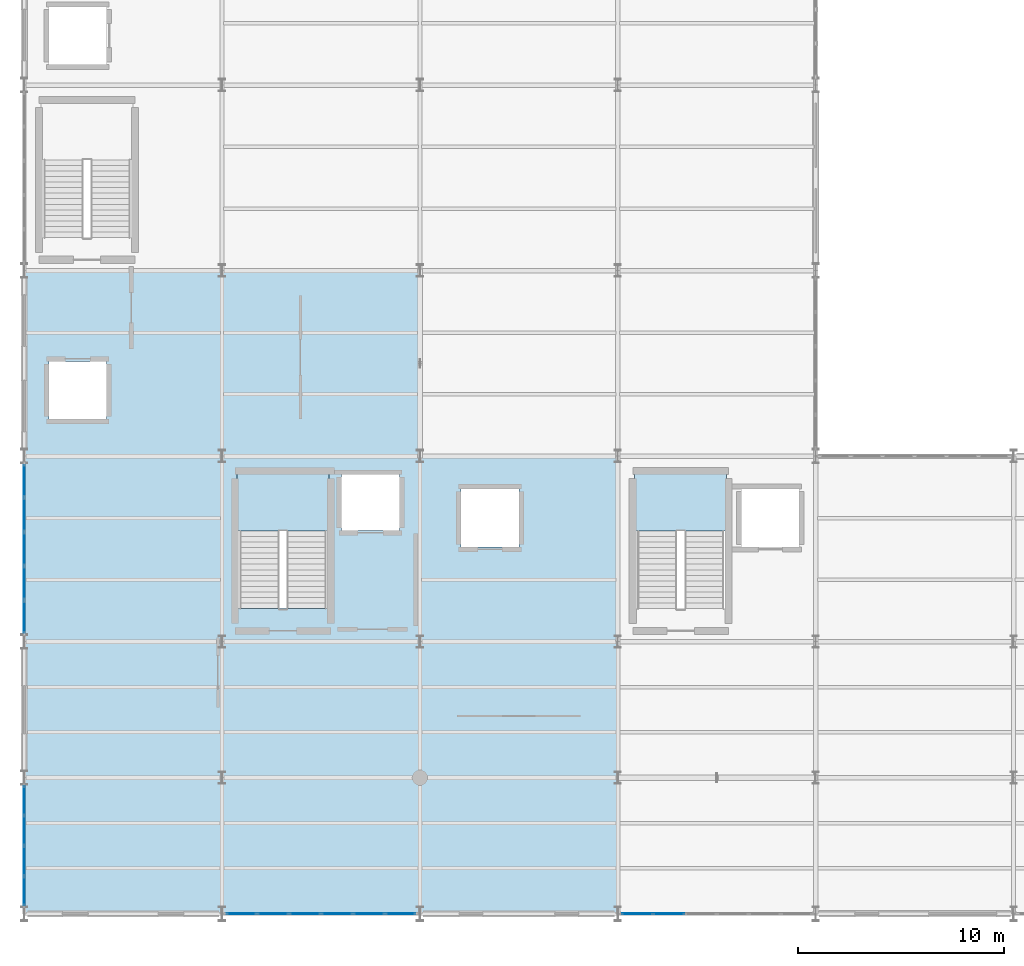
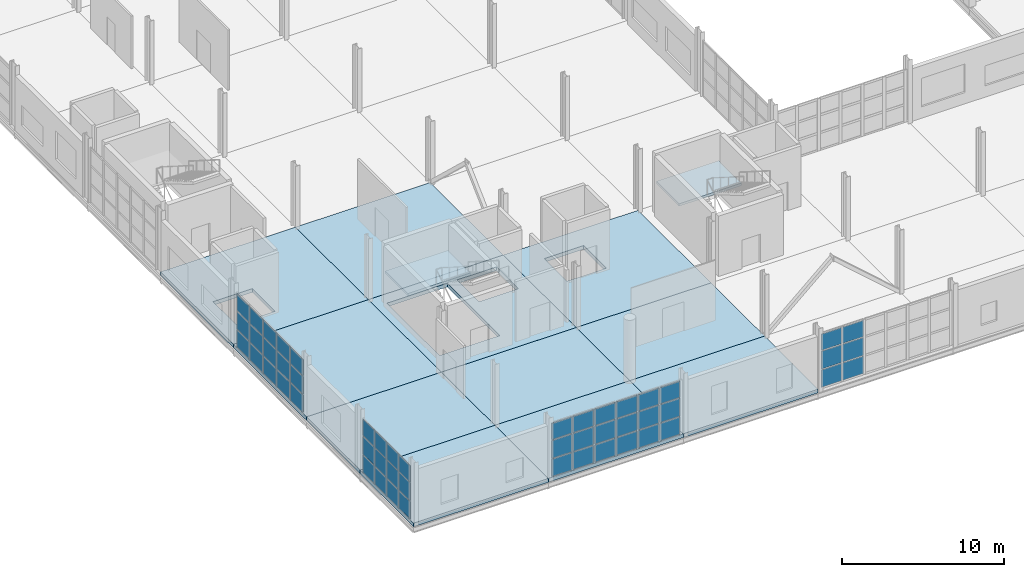
# One storey, part 73 of 120: 51 plates, 13 slabs, 6 elements without a shape of their own.
"""IFC4 building model written with IfcOpenShell, lengths in metres."""

from ifc_helpers import new_model, si_unit, direction, frame, origin, origin_2d, place, context, subcontext, project, spatial, polyline, rectangle, outline, extrude, material, layer, layer_set, type_object, element, aggregate, save


model = new_model("IFC4")

# Units and contexts
model_context = context("Model", 3, precision=1e-05, world=origin(), true_north=direction((0.0, 1.0)))
body_context = subcontext(model_context, "Body", "Model", "MODEL_VIEW")
ifc_project = project(units=[si_unit("LENGTHUNIT", "METRE"), si_unit("AREAUNIT", "SQUARE_METRE"), si_unit("VOLUMEUNIT", "CUBIC_METRE"), si_unit("PLANEANGLEUNIT", "RADIAN"), si_unit("MASSUNIT", "GRAM", prefix="KILO")], contexts=[model_context])

# Site, building, storey
site_placement = place(None, origin())
site = spatial("IfcSite", under=ifc_project, at=site_placement, CompositionType="ELEMENT")
building_placement = place(site_placement, origin())
building = spatial("IfcBuilding", under=site, at=building_placement, Name="Zarnetskaya Central Station", CompositionType="ELEMENT")
storey_placement = place(building_placement, frame((0.0, 0.0, 5.39990234375)))
storey = spatial("IfcBuildingStorey", under=building, at=storey_placement, Name="L01", CompositionType="ELEMENT", Elevation=5.39990234375)

# Curtain wall, plates
ifc_material_1 = material(Name="Low-E insulated glass", Category="glass")
ifc_layer_1 = layer(ifc_material_1, 0.16796875, Name="Low-E insulated glass", Category="glass")
ifc_layer_set_1 = layer_set([ifc_layer_1], Name="Low-E insulated glass")
curtain_wall_type_1 = type_object("IfcCurtainWallType", Name="CW-SYS-03", PredefinedType="USERDEFINED", material=ifc_layer_set_1)
curtain_wall_1_placement = place(storey_placement, origin())
curtain_wall_1 = element("IfcCurtainWall", 1, at=curtain_wall_1_placement, inside=storey, type_object=curtain_wall_type_1, Name="Curtain wall CW-L01-001", ObjectType="CURTAIN WALL", PredefinedType="USERDEFINED")
ifc_layer_2 = layer(ifc_material_1, 0.031982421875, Name="Low-E insulated glass", Category="glass")
ifc_layer_set_2 = layer_set([ifc_layer_2], Name="Low-E insulated glass")
plate_type_1 = type_object("IfcPlateType", Name="CW-PAN-32", PredefinedType="CURTAIN_PANEL", material=ifc_layer_set_2)
plate_1_placement = place(storey_placement, frame((0.0, 1.10498046875, 0.0703125), z_axis=(0.0, 0.0, 1.0), x_axis=(0.0, 1.0, 0.0)))
plate_1 = element("IfcPlate", 2, at=plate_1_placement, type_object=plate_type_1, Name="CW-12 panel 1.1", PredefinedType="CURTAIN_PANEL", context=body_context, shape_type="SweptSolid", body=[
    extrude(rectangle(XDim=1.3701171875, YDim=0.031982421875, at=origin_2d()), origin(), (0.0, 0.0, 1.0), 1.302978515625),
])
plate_2_placement = place(storey_placement, frame((0.0, 1.10498046875, 1.443115234375), z_axis=(0.0, 0.0, 1.0), x_axis=(0.0, 1.0, 0.0)))
plate_2 = element("IfcPlate", 3, at=plate_2_placement, type_object=plate_type_1, Name="CW-12 panel 1.2", PredefinedType="CURTAIN_PANEL", context=body_context, shape_type="SweptSolid", body=[
    extrude(rectangle(XDim=1.3701171875, YDim=0.031982421875, at=origin_2d()), origin(), (0.0, 0.0, 1.0), 1.3369140625),
])
plate_3_placement = place(storey_placement, frame((0.0, 1.10498046875, 2.85009765625), z_axis=(0.0, 0.0, 1.0), x_axis=(0.0, 1.0, 0.0)))
plate_3 = element("IfcPlate", 4, at=plate_3_placement, type_object=plate_type_1, Name="CW-12 panel 1.3", PredefinedType="CURTAIN_PANEL", context=body_context, shape_type="SweptSolid", body=[
    extrude(rectangle(XDim=1.3701171875, YDim=0.031982421875, at=origin_2d()), origin(), (0.0, 0.0, 1.0), 1.219970703125),
])
plate_4_placement = place(storey_placement, frame((0.0, 2.5625, 0.0703125), z_axis=(0.0, 0.0, 1.0), x_axis=(0.0, 1.0, 0.0)))
plate_4 = element("IfcPlate", 5, at=plate_4_placement, type_object=plate_type_1, Name="CW-12 panel 2.1", PredefinedType="CURTAIN_PANEL", context=body_context, shape_type="SweptSolid", body=[
    extrude(rectangle(XDim=1.405029296875, YDim=0.031982421875, at=origin_2d()), origin(), (0.0, 0.0, 1.0), 1.302978515625),
])
plate_5_placement = place(storey_placement, frame((0.0, 2.5625, 1.443115234375), z_axis=(0.0, 0.0, 1.0), x_axis=(0.0, 1.0, 0.0)))
plate_5 = element("IfcPlate", 6, at=plate_5_placement, type_object=plate_type_1, Name="CW-12 panel 2.2", PredefinedType="CURTAIN_PANEL", context=body_context, shape_type="SweptSolid", body=[
    extrude(rectangle(XDim=1.405029296875, YDim=0.031982421875, at=origin_2d()), origin(), (0.0, 0.0, 1.0), 1.3369140625),
])
plate_6_placement = place(storey_placement, frame((0.0, 2.5625, 2.85009765625), z_axis=(0.0, 0.0, 1.0), x_axis=(0.0, 1.0, 0.0)))
plate_6 = element("IfcPlate", 7, at=plate_6_placement, type_object=plate_type_1, Name="CW-12 panel 2.3", PredefinedType="CURTAIN_PANEL", context=body_context, shape_type="SweptSolid", body=[
    extrude(rectangle(XDim=1.405029296875, YDim=0.031982421875, at=origin_2d()), origin(), (0.0, 0.0, 1.0), 1.219970703125),
])
plate_7_placement = place(storey_placement, frame((0.0, 4.03759765625, 0.0703125), z_axis=(0.0, 0.0, 1.0), x_axis=(0.0, 1.0, 0.0)))
plate_7 = element("IfcPlate", 8, at=plate_7_placement, type_object=plate_type_1, Name="CW-12 panel 3.1", PredefinedType="CURTAIN_PANEL", context=body_context, shape_type="SweptSolid", body=[
    extrude(rectangle(XDim=1.405029296875, YDim=0.031982421875, at=origin_2d()), origin(), (0.0, 0.0, 1.0), 1.302978515625),
])
plate_8_placement = place(storey_placement, frame((0.0, 4.03759765625, 1.443115234375), z_axis=(0.0, 0.0, 1.0), x_axis=(0.0, 1.0, 0.0)))
plate_8 = element("IfcPlate", 9, at=plate_8_placement, type_object=plate_type_1, Name="CW-12 panel 3.2", PredefinedType="CURTAIN_PANEL", context=body_context, shape_type="SweptSolid", body=[
    extrude(rectangle(XDim=1.405029296875, YDim=0.031982421875, at=origin_2d()), origin(), (0.0, 0.0, 1.0), 1.3369140625),
])
plate_9_placement = place(storey_placement, frame((0.0, 4.03759765625, 2.85009765625), z_axis=(0.0, 0.0, 1.0), x_axis=(0.0, 1.0, 0.0)))
plate_9 = element("IfcPlate", 10, at=plate_9_placement, type_object=plate_type_1, Name="CW-12 panel 3.3", PredefinedType="CURTAIN_PANEL", context=body_context, shape_type="SweptSolid", body=[
    extrude(rectangle(XDim=1.405029296875, YDim=0.031982421875, at=origin_2d()), origin(), (0.0, 0.0, 1.0), 1.219970703125),
])
plate_10_placement = place(storey_placement, frame((0.0, 5.4951171875, 0.0703125), z_axis=(0.0, 0.0, 1.0), x_axis=(0.0, 1.0, 0.0)))
plate_10 = element("IfcPlate", 11, at=plate_10_placement, type_object=plate_type_1, Name="CW-12 panel 4.1", PredefinedType="CURTAIN_PANEL", context=body_context, shape_type="SweptSolid", body=[
    extrude(rectangle(XDim=1.3701171875, YDim=0.031982421875, at=origin_2d()), origin(), (0.0, 0.0, 1.0), 1.302978515625),
])
plate_11_placement = place(storey_placement, frame((0.0, 5.4951171875, 1.443115234375), z_axis=(0.0, 0.0, 1.0), x_axis=(0.0, 1.0, 0.0)))
plate_11 = element("IfcPlate", 12, at=plate_11_placement, type_object=plate_type_1, Name="CW-12 panel 4.2", PredefinedType="CURTAIN_PANEL", context=body_context, shape_type="SweptSolid", body=[
    extrude(rectangle(XDim=1.3701171875, YDim=0.031982421875, at=origin_2d()), origin(), (0.0, 0.0, 1.0), 1.3369140625),
])
plate_12_placement = place(storey_placement, frame((0.0, 5.4951171875, 2.85009765625), z_axis=(0.0, 0.0, 1.0), x_axis=(0.0, 1.0, 0.0)))
plate_12 = element("IfcPlate", 13, at=plate_12_placement, type_object=plate_type_1, Name="CW-12 panel 4.3", PredefinedType="CURTAIN_PANEL", context=body_context, shape_type="SweptSolid", body=[
    extrude(rectangle(XDim=1.3701171875, YDim=0.031982421875, at=origin_2d()), origin(), (0.0, 0.0, 1.0), 1.219970703125),
])
aggregate(curtain_wall_1, [plate_1, plate_2, plate_3, plate_4, plate_5, plate_6, plate_7, plate_8, plate_9, plate_10, plate_11, plate_12])

ifc_layer_3 = layer(ifc_material_1, 0.176025390625, Name="Low-E insulated glass", Category="glass")
ifc_layer_set_3 = layer_set([ifc_layer_3], Name="Low-E insulated glass")
curtain_wall_type_2 = type_object("IfcCurtainWallType", Name="CW-SYS-05", PredefinedType="USERDEFINED", material=ifc_layer_set_3)
curtain_wall_2_placement = place(storey_placement, origin())
curtain_wall_2 = element("IfcCurtainWall", 14, at=curtain_wall_2_placement, inside=storey, type_object=curtain_wall_type_2, Name="Curtain wall CW-L01-002", ObjectType="CURTAIN WALL", PredefinedType="USERDEFINED")
ifc_layer_4 = layer(ifc_material_1, 0.035888671875, Name="Low-E insulated glass", Category="glass")
ifc_layer_set_4 = layer_set([ifc_layer_4], Name="Low-E insulated glass")
plate_type_2 = type_object("IfcPlateType", Name="CW-PAN-36", PredefinedType="CURTAIN_PANEL", material=ifc_layer_set_4)
plate_13_placement = place(storey_placement, frame((0.0, 14.39990234375, 0.080078125), z_axis=(0.0, 0.0, 1.0), x_axis=(0.0, 1.0, 0.0)))
plate_13 = element("IfcPlate", 15, at=plate_13_placement, type_object=plate_type_2, Name="CW-14 panel 1.1", PredefinedType="CURTAIN_PANEL", context=body_context, shape_type="SweptSolid", body=[
    extrude(rectangle(XDim=1.5400390625, YDim=0.035888671875, at=origin_2d()), origin(), (0.0, 0.0, 1.0), 1.2880859375),
])
plate_14_placement = place(storey_placement, frame((0.0, 14.39990234375, 1.4482421875), z_axis=(0.0, 0.0, 1.0), x_axis=(0.0, 1.0, 0.0)))
plate_14 = element("IfcPlate", 16, at=plate_14_placement, type_object=plate_type_2, Name="CW-14 panel 1.2", PredefinedType="CURTAIN_PANEL", context=body_context, shape_type="SweptSolid", body=[
    extrude(rectangle(XDim=1.5400390625, YDim=0.035888671875, at=origin_2d()), origin(), (0.0, 0.0, 1.0), 1.326904296875),
])
plate_15_placement = place(storey_placement, frame((0.0, 14.39990234375, 2.85498046875), z_axis=(0.0, 0.0, 1.0), x_axis=(0.0, 1.0, 0.0)))
plate_15 = element("IfcPlate", 17, at=plate_15_placement, type_object=plate_type_2, Name="CW-14 panel 1.3", PredefinedType="CURTAIN_PANEL", context=body_context, shape_type="SweptSolid", body=[
    extrude(rectangle(XDim=1.5400390625, YDim=0.035888671875, at=origin_2d()), origin(), (0.0, 0.0, 1.0), 1.205078125),
])
plate_16_placement = place(storey_placement, frame((0.0, 16.0400390625, 0.080078125), z_axis=(0.0, 0.0, 1.0), x_axis=(0.0, 1.0, 0.0)))
plate_16 = element("IfcPlate", 18, at=plate_16_placement, type_object=plate_type_2, Name="CW-14 panel 2.1", PredefinedType="CURTAIN_PANEL", context=body_context, shape_type="SweptSolid", body=[
    extrude(rectangle(XDim=1.580078125, YDim=0.035888671875, at=origin_2d()), origin(), (0.0, 0.0, 1.0), 1.2880859375),
])
plate_17_placement = place(storey_placement, frame((0.0, 16.0400390625, 1.4482421875), z_axis=(0.0, 0.0, 1.0), x_axis=(0.0, 1.0, 0.0)))
plate_17 = element("IfcPlate", 19, at=plate_17_placement, type_object=plate_type_2, Name="CW-14 panel 2.2", PredefinedType="CURTAIN_PANEL", context=body_context, shape_type="SweptSolid", body=[
    extrude(rectangle(XDim=1.580078125, YDim=0.035888671875, at=origin_2d()), origin(), (0.0, 0.0, 1.0), 1.326904296875),
])
plate_18_placement = place(storey_placement, frame((0.0, 16.0400390625, 2.85498046875), z_axis=(0.0, 0.0, 1.0), x_axis=(0.0, 1.0, 0.0)))
plate_18 = element("IfcPlate", 20, at=plate_18_placement, type_object=plate_type_2, Name="CW-14 panel 2.3", PredefinedType="CURTAIN_PANEL", context=body_context, shape_type="SweptSolid", body=[
    extrude(rectangle(XDim=1.580078125, YDim=0.035888671875, at=origin_2d()), origin(), (0.0, 0.0, 1.0), 1.205078125),
])
plate_19_placement = place(storey_placement, frame((0.0, 17.699951171875, 0.080078125), z_axis=(0.0, 0.0, 1.0), x_axis=(0.0, 1.0, 0.0)))
plate_19 = element("IfcPlate", 21, at=plate_19_placement, type_object=plate_type_2, Name="CW-14 panel 3.1", PredefinedType="CURTAIN_PANEL", context=body_context, shape_type="SweptSolid", body=[
    extrude(rectangle(XDim=1.580078125, YDim=0.035888671875, at=origin_2d()), origin(), (0.0, 0.0, 1.0), 1.2880859375),
])
plate_20_placement = place(storey_placement, frame((0.0, 17.699951171875, 1.4482421875), z_axis=(0.0, 0.0, 1.0), x_axis=(0.0, 1.0, 0.0)))
plate_20 = element("IfcPlate", 22, at=plate_20_placement, type_object=plate_type_2, Name="CW-14 panel 3.2", PredefinedType="CURTAIN_PANEL", context=body_context, shape_type="SweptSolid", body=[
    extrude(rectangle(XDim=1.580078125, YDim=0.035888671875, at=origin_2d()), origin(), (0.0, 0.0, 1.0), 1.326904296875),
])
plate_21_placement = place(storey_placement, frame((0.0, 17.699951171875, 2.85498046875), z_axis=(0.0, 0.0, 1.0), x_axis=(0.0, 1.0, 0.0)))
plate_21 = element("IfcPlate", 23, at=plate_21_placement, type_object=plate_type_2, Name="CW-14 panel 3.3", PredefinedType="CURTAIN_PANEL", context=body_context, shape_type="SweptSolid", body=[
    extrude(rectangle(XDim=1.580078125, YDim=0.035888671875, at=origin_2d()), origin(), (0.0, 0.0, 1.0), 1.205078125),
])
plate_22_placement = place(storey_placement, frame((0.0, 19.360107421875, 0.080078125), z_axis=(0.0, 0.0, 1.0), x_axis=(0.0, 1.0, 0.0)))
plate_22 = element("IfcPlate", 24, at=plate_22_placement, type_object=plate_type_2, Name="CW-14 panel 4.1", PredefinedType="CURTAIN_PANEL", context=body_context, shape_type="SweptSolid", body=[
    extrude(rectangle(XDim=1.580078125, YDim=0.035888671875, at=origin_2d()), origin(), (0.0, 0.0, 1.0), 1.2880859375),
])
plate_23_placement = place(storey_placement, frame((0.0, 19.360107421875, 1.4482421875), z_axis=(0.0, 0.0, 1.0), x_axis=(0.0, 1.0, 0.0)))
plate_23 = element("IfcPlate", 25, at=plate_23_placement, type_object=plate_type_2, Name="CW-14 panel 4.2", PredefinedType="CURTAIN_PANEL", context=body_context, shape_type="SweptSolid", body=[
    extrude(rectangle(XDim=1.580078125, YDim=0.035888671875, at=origin_2d()), origin(), (0.0, 0.0, 1.0), 1.326904296875),
])
plate_24_placement = place(storey_placement, frame((0.0, 19.360107421875, 2.85498046875), z_axis=(0.0, 0.0, 1.0), x_axis=(0.0, 1.0, 0.0)))
plate_24 = element("IfcPlate", 26, at=plate_24_placement, type_object=plate_type_2, Name="CW-14 panel 4.3", PredefinedType="CURTAIN_PANEL", context=body_context, shape_type="SweptSolid", body=[
    extrude(rectangle(XDim=1.580078125, YDim=0.035888671875, at=origin_2d()), origin(), (0.0, 0.0, 1.0), 1.205078125),
])
plate_25_placement = place(storey_placement, frame((0.0, 21.0, 0.080078125), z_axis=(0.0, 0.0, 1.0), x_axis=(0.0, 1.0, 0.0)))
plate_25 = element("IfcPlate", 27, at=plate_25_placement, type_object=plate_type_2, Name="CW-14 panel 5.1", PredefinedType="CURTAIN_PANEL", context=body_context, shape_type="SweptSolid", body=[
    extrude(rectangle(XDim=1.5400390625, YDim=0.035888671875, at=origin_2d()), origin(), (0.0, 0.0, 1.0), 1.2880859375),
])
plate_26_placement = place(storey_placement, frame((0.0, 21.0, 1.4482421875), z_axis=(0.0, 0.0, 1.0), x_axis=(0.0, 1.0, 0.0)))
plate_26 = element("IfcPlate", 28, at=plate_26_placement, type_object=plate_type_2, Name="CW-14 panel 5.2", PredefinedType="CURTAIN_PANEL", context=body_context, shape_type="SweptSolid", body=[
    extrude(rectangle(XDim=1.5400390625, YDim=0.035888671875, at=origin_2d()), origin(), (0.0, 0.0, 1.0), 1.326904296875),
])
plate_27_placement = place(storey_placement, frame((0.0, 21.0, 2.85498046875), z_axis=(0.0, 0.0, 1.0), x_axis=(0.0, 1.0, 0.0)))
plate_27 = element("IfcPlate", 29, at=plate_27_placement, type_object=plate_type_2, Name="CW-14 panel 5.3", PredefinedType="CURTAIN_PANEL", context=body_context, shape_type="SweptSolid", body=[
    extrude(rectangle(XDim=1.5400390625, YDim=0.035888671875, at=origin_2d()), origin(), (0.0, 0.0, 1.0), 1.205078125),
])
aggregate(curtain_wall_2, [plate_13, plate_14, plate_15, plate_16, plate_17, plate_18, plate_19, plate_20, plate_21, plate_22, plate_23, plate_24, plate_25, plate_26, plate_27])

curtain_wall_3_placement = place(storey_placement, origin())
curtain_wall_3 = element("IfcCurtainWall", 30, at=curtain_wall_3_placement, inside=storey, type_object=curtain_wall_type_2, Name="Curtain wall CW-L01-013", ObjectType="CURTAIN WALL", PredefinedType="USERDEFINED")
ifc_layer_5 = layer(ifc_material_1, 0.0400390625, Name="Low-E insulated glass", Category="glass")
ifc_layer_set_5 = layer_set([ifc_layer_5], Name="Low-E insulated glass")
plate_type_3 = type_object("IfcPlateType", Name="CW-PAN-40", PredefinedType="CURTAIN_PANEL", material=ifc_layer_set_5)
plate_28_placement = place(storey_placement, frame((31.27490234375, 0.0, 0.0703125), z_axis=(0.0, 0.0, 1.0), x_axis=(-1.0, 0.0, 0.0)))
plate_28 = element("IfcPlate", 31, at=plate_28_placement, type_object=plate_type_3, Name="CW-14 panel 5.1", PredefinedType="CURTAIN_PANEL", context=body_context, shape_type="SweptSolid", body=[
    extrude(rectangle(XDim=1.47998046875, YDim=0.0400390625, at=origin_2d()), origin(), (0.0, 0.0, 1.0), 1.302978515625),
])
plate_29_placement = place(storey_placement, frame((31.27490234375, 0.0, 1.443115234375), z_axis=(0.0, 0.0, 1.0), x_axis=(-1.0, 0.0, 0.0)))
plate_29 = element("IfcPlate", 32, at=plate_29_placement, type_object=plate_type_3, Name="CW-14 panel 5.2", PredefinedType="CURTAIN_PANEL", context=body_context, shape_type="SweptSolid", body=[
    extrude(rectangle(XDim=1.47998046875, YDim=0.0400390625, at=origin_2d()), origin(), (0.0, 0.0, 1.0), 1.3369140625),
])
plate_30_placement = place(storey_placement, frame((31.27490234375, 0.0, 2.85009765625), z_axis=(0.0, 0.0, 1.0), x_axis=(-1.0, 0.0, 0.0)))
plate_30 = element("IfcPlate", 33, at=plate_30_placement, type_object=plate_type_3, Name="CW-14 panel 5.3", PredefinedType="CURTAIN_PANEL", context=body_context, shape_type="SweptSolid", body=[
    extrude(rectangle(XDim=1.47998046875, YDim=0.0400390625, at=origin_2d()), origin(), (0.0, 0.0, 1.0), 1.219970703125),
])
plate_31_placement = place(storey_placement, frame((29.742431640625, 0.0, 0.0703125), z_axis=(0.0, 0.0, 1.0), x_axis=(-1.0, 0.0, 0.0)))
plate_31 = element("IfcPlate", 34, at=plate_31_placement, type_object=plate_type_3, Name="CW-14 panel 6.1", PredefinedType="CURTAIN_PANEL", context=body_context, shape_type="SweptSolid", body=[
    extrude(rectangle(XDim=1.445068359375, YDim=0.0400390625, at=origin_2d()), origin(), (0.0, 0.0, 1.0), 1.302978515625),
])
plate_32_placement = place(storey_placement, frame((29.742431640625, 0.0, 1.443115234375), z_axis=(0.0, 0.0, 1.0), x_axis=(-1.0, 0.0, 0.0)))
plate_32 = element("IfcPlate", 35, at=plate_32_placement, type_object=plate_type_3, Name="CW-14 panel 6.2", PredefinedType="CURTAIN_PANEL", context=body_context, shape_type="SweptSolid", body=[
    extrude(rectangle(XDim=1.445068359375, YDim=0.0400390625, at=origin_2d()), origin(), (0.0, 0.0, 1.0), 1.3369140625),
])
plate_33_placement = place(storey_placement, frame((29.742431640625, 0.0, 2.85009765625), z_axis=(0.0, 0.0, 1.0), x_axis=(-1.0, 0.0, 0.0)))
plate_33 = element("IfcPlate", 36, at=plate_33_placement, type_object=plate_type_3, Name="CW-14 panel 6.3", PredefinedType="CURTAIN_PANEL", context=body_context, shape_type="SweptSolid", body=[
    extrude(rectangle(XDim=1.445068359375, YDim=0.0400390625, at=origin_2d()), origin(), (0.0, 0.0, 1.0), 1.219970703125),
])
aggregate(curtain_wall_3, [plate_28, plate_29, plate_30, plate_31, plate_32, plate_33])

ifc_layer_6 = layer(ifc_material_1, 0.1640625, Name="Low-E insulated glass", Category="glass")
ifc_layer_set_6 = layer_set([ifc_layer_6], Name="Low-E insulated glass")
curtain_wall_type_3 = type_object("IfcCurtainWallType", Name="CW-SYS-07", PredefinedType="USERDEFINED", material=ifc_layer_set_6)
curtain_wall_4_placement = place(storey_placement, origin())
curtain_wall_4 = element("IfcCurtainWall", 37, at=curtain_wall_4_placement, inside=storey, type_object=curtain_wall_type_3, Name="Curtain wall CW-L01-014", ObjectType="CURTAIN WALL", PredefinedType="USERDEFINED")
ifc_layer_7 = layer(ifc_material_1, 0.0439453125, Name="Low-E insulated glass", Category="glass")
ifc_layer_set_7 = layer_set([ifc_layer_7], Name="Low-E insulated glass")
plate_type_4 = type_object("IfcPlateType", Name="CW-PAN-44", PredefinedType="CURTAIN_PANEL", material=ifc_layer_set_7)
plate_34_placement = place(storey_placement, frame((18.2548828125, 0.0, 0.080078125), z_axis=(0.0, 0.0, 1.0), x_axis=(-1.0, 0.0, 0.0)))
plate_34 = element("IfcPlate", 38, at=plate_34_placement, type_object=plate_type_4, Name="CW-06 panel 1.1", PredefinedType="CURTAIN_PANEL", context=body_context, shape_type="SweptSolid", body=[
    extrude(rectangle(XDim=1.429931640625, YDim=0.0439453125, at=origin_2d()), origin(), (0.0, 0.0, 1.0), 1.2880859375),
])
plate_35_placement = place(storey_placement, frame((18.2548828125, 0.0, 1.4482421875), z_axis=(0.0, 0.0, 1.0), x_axis=(-1.0, 0.0, 0.0)))
plate_35 = element("IfcPlate", 39, at=plate_35_placement, type_object=plate_type_4, Name="CW-06 panel 1.2", PredefinedType="CURTAIN_PANEL", context=body_context, shape_type="SweptSolid", body=[
    extrude(rectangle(XDim=1.429931640625, YDim=0.0439453125, at=origin_2d()), origin(), (0.0, 0.0, 1.0), 1.326904296875),
])
plate_36_placement = place(storey_placement, frame((18.2548828125, 0.0, 2.85498046875), z_axis=(0.0, 0.0, 1.0), x_axis=(-1.0, 0.0, 0.0)))
plate_36 = element("IfcPlate", 40, at=plate_36_placement, type_object=plate_type_4, Name="CW-06 panel 1.3", PredefinedType="CURTAIN_PANEL", context=body_context, shape_type="SweptSolid", body=[
    extrude(rectangle(XDim=1.429931640625, YDim=0.0439453125, at=origin_2d()), origin(), (0.0, 0.0, 1.0), 1.205078125),
])
plate_37_placement = place(storey_placement, frame((16.72509765625, 0.0, 0.080078125), z_axis=(0.0, 0.0, 1.0), x_axis=(-1.0, 0.0, 0.0)))
plate_37 = element("IfcPlate", 41, at=plate_37_placement, type_object=plate_type_4, Name="CW-06 panel 2.1", PredefinedType="CURTAIN_PANEL", context=body_context, shape_type="SweptSolid", body=[
    extrude(rectangle(XDim=1.469970703125, YDim=0.0439453125, at=origin_2d()), origin(), (0.0, 0.0, 1.0), 1.2880859375),
])
plate_38_placement = place(storey_placement, frame((16.72509765625, 0.0, 1.4482421875), z_axis=(0.0, 0.0, 1.0), x_axis=(-1.0, 0.0, 0.0)))
plate_38 = element("IfcPlate", 42, at=plate_38_placement, type_object=plate_type_4, Name="CW-06 panel 2.2", PredefinedType="CURTAIN_PANEL", context=body_context, shape_type="SweptSolid", body=[
    extrude(rectangle(XDim=1.469970703125, YDim=0.0439453125, at=origin_2d()), origin(), (0.0, 0.0, 1.0), 1.326904296875),
])
plate_39_placement = place(storey_placement, frame((16.72509765625, 0.0, 2.85498046875), z_axis=(0.0, 0.0, 1.0), x_axis=(-1.0, 0.0, 0.0)))
plate_39 = element("IfcPlate", 43, at=plate_39_placement, type_object=plate_type_4, Name="CW-06 panel 2.3", PredefinedType="CURTAIN_PANEL", context=body_context, shape_type="SweptSolid", body=[
    extrude(rectangle(XDim=1.469970703125, YDim=0.0439453125, at=origin_2d()), origin(), (0.0, 0.0, 1.0), 1.205078125),
])
plate_40_placement = place(storey_placement, frame((15.175048828125, 0.0, 0.080078125), z_axis=(0.0, 0.0, 1.0), x_axis=(-1.0, 0.0, 0.0)))
plate_40 = element("IfcPlate", 44, at=plate_40_placement, type_object=plate_type_4, Name="CW-06 panel 3.1", PredefinedType="CURTAIN_PANEL", context=body_context, shape_type="SweptSolid", body=[
    extrude(rectangle(XDim=1.469970703125, YDim=0.0439453125, at=origin_2d()), origin(), (0.0, 0.0, 1.0), 1.2880859375),
])
plate_41_placement = place(storey_placement, frame((15.175048828125, 0.0, 1.4482421875), z_axis=(0.0, 0.0, 1.0), x_axis=(-1.0, 0.0, 0.0)))
plate_41 = element("IfcPlate", 45, at=plate_41_placement, type_object=plate_type_4, Name="CW-06 panel 3.2", PredefinedType="CURTAIN_PANEL", context=body_context, shape_type="SweptSolid", body=[
    extrude(rectangle(XDim=1.469970703125, YDim=0.0439453125, at=origin_2d()), origin(), (0.0, 0.0, 1.0), 1.326904296875),
])
plate_42_placement = place(storey_placement, frame((15.175048828125, 0.0, 2.85498046875), z_axis=(0.0, 0.0, 1.0), x_axis=(-1.0, 0.0, 0.0)))
plate_42 = element("IfcPlate", 46, at=plate_42_placement, type_object=plate_type_4, Name="CW-06 panel 3.3", PredefinedType="CURTAIN_PANEL", context=body_context, shape_type="SweptSolid", body=[
    extrude(rectangle(XDim=1.469970703125, YDim=0.0439453125, at=origin_2d()), origin(), (0.0, 0.0, 1.0), 1.205078125),
])
plate_43_placement = place(storey_placement, frame((13.625, 0.0, 0.080078125), z_axis=(0.0, 0.0, 1.0), x_axis=(-1.0, 0.0, 0.0)))
plate_43 = element("IfcPlate", 47, at=plate_43_placement, type_object=plate_type_4, Name="CW-06 panel 4.1", PredefinedType="CURTAIN_PANEL", context=body_context, shape_type="SweptSolid", body=[
    extrude(rectangle(XDim=1.469970703125, YDim=0.0439453125, at=origin_2d()), origin(), (0.0, 0.0, 1.0), 1.2880859375),
])
plate_44_placement = place(storey_placement, frame((13.625, 0.0, 1.4482421875), z_axis=(0.0, 0.0, 1.0), x_axis=(-1.0, 0.0, 0.0)))
plate_44 = element("IfcPlate", 48, at=plate_44_placement, type_object=plate_type_4, Name="CW-06 panel 4.2", PredefinedType="CURTAIN_PANEL", context=body_context, shape_type="SweptSolid", body=[
    extrude(rectangle(XDim=1.469970703125, YDim=0.0439453125, at=origin_2d()), origin(), (0.0, 0.0, 1.0), 1.326904296875),
])
plate_45_placement = place(storey_placement, frame((13.625, 0.0, 2.85498046875), z_axis=(0.0, 0.0, 1.0), x_axis=(-1.0, 0.0, 0.0)))
plate_45 = element("IfcPlate", 49, at=plate_45_placement, type_object=plate_type_4, Name="CW-06 panel 4.3", PredefinedType="CURTAIN_PANEL", context=body_context, shape_type="SweptSolid", body=[
    extrude(rectangle(XDim=1.469970703125, YDim=0.0439453125, at=origin_2d()), origin(), (0.0, 0.0, 1.0), 1.205078125),
])
plate_46_placement = place(storey_placement, frame((12.074951171875, 0.0, 0.080078125), z_axis=(0.0, 0.0, 1.0), x_axis=(-1.0, 0.0, 0.0)))
plate_46 = element("IfcPlate", 50, at=plate_46_placement, type_object=plate_type_4, Name="CW-06 panel 5.1", PredefinedType="CURTAIN_PANEL", context=body_context, shape_type="SweptSolid", body=[
    extrude(rectangle(XDim=1.469970703125, YDim=0.0439453125, at=origin_2d()), origin(), (0.0, 0.0, 1.0), 1.2880859375),
])
plate_47_placement = place(storey_placement, frame((12.074951171875, 0.0, 1.4482421875), z_axis=(0.0, 0.0, 1.0), x_axis=(-1.0, 0.0, 0.0)))
plate_47 = element("IfcPlate", 51, at=plate_47_placement, type_object=plate_type_4, Name="CW-06 panel 5.2", PredefinedType="CURTAIN_PANEL", context=body_context, shape_type="SweptSolid", body=[
    extrude(rectangle(XDim=1.469970703125, YDim=0.0439453125, at=origin_2d()), origin(), (0.0, 0.0, 1.0), 1.326904296875),
])
plate_48_placement = place(storey_placement, frame((12.074951171875, 0.0, 2.85498046875), z_axis=(0.0, 0.0, 1.0), x_axis=(-1.0, 0.0, 0.0)))
plate_48 = element("IfcPlate", 52, at=plate_48_placement, type_object=plate_type_4, Name="CW-06 panel 5.3", PredefinedType="CURTAIN_PANEL", context=body_context, shape_type="SweptSolid", body=[
    extrude(rectangle(XDim=1.469970703125, YDim=0.0439453125, at=origin_2d()), origin(), (0.0, 0.0, 1.0), 1.205078125),
])
plate_49_placement = place(storey_placement, frame((10.544921875, 0.0, 0.080078125), z_axis=(0.0, 0.0, 1.0), x_axis=(-1.0, 0.0, 0.0)))
plate_49 = element("IfcPlate", 53, at=plate_49_placement, type_object=plate_type_4, Name="CW-06 panel 6.1", PredefinedType="CURTAIN_PANEL", context=body_context, shape_type="SweptSolid", body=[
    extrude(rectangle(XDim=1.429931640625, YDim=0.0439453125, at=origin_2d()), origin(), (0.0, 0.0, 1.0), 1.2880859375),
])
plate_50_placement = place(storey_placement, frame((10.544921875, 0.0, 1.4482421875), z_axis=(0.0, 0.0, 1.0), x_axis=(-1.0, 0.0, 0.0)))
plate_50 = element("IfcPlate", 54, at=plate_50_placement, type_object=plate_type_4, Name="CW-06 panel 6.2", PredefinedType="CURTAIN_PANEL", context=body_context, shape_type="SweptSolid", body=[
    extrude(rectangle(XDim=1.429931640625, YDim=0.0439453125, at=origin_2d()), origin(), (0.0, 0.0, 1.0), 1.326904296875),
])
plate_51_placement = place(storey_placement, frame((10.544921875, 0.0, 2.85498046875), z_axis=(0.0, 0.0, 1.0), x_axis=(-1.0, 0.0, 0.0)))
plate_51 = element("IfcPlate", 55, at=plate_51_placement, type_object=plate_type_4, Name="CW-06 panel 6.3", PredefinedType="CURTAIN_PANEL", context=body_context, shape_type="SweptSolid", body=[
    extrude(rectangle(XDim=1.429931640625, YDim=0.0439453125, at=origin_2d()), origin(), (0.0, 0.0, 1.0), 1.205078125),
])
aggregate(curtain_wall_4, [plate_34, plate_35, plate_36, plate_37, plate_38, plate_39, plate_40, plate_41, plate_42, plate_43, plate_44, plate_45, plate_46, plate_47, plate_48, plate_49, plate_50, plate_51])

# Slabs
ifc_material_2 = material(Name="Concrete C30/37", Category="concrete")
ifc_layer_8 = layer(ifc_material_2, 0.280029296875, Name="Concrete C30/37", Category="concrete")
ifc_layer_set_8 = layer_set([ifc_layer_8], Name="Concrete C30/37")
slab_type_1 = type_object("IfcSlabType", Name="SLAB-BRG-280", PredefinedType="FLOOR", material=ifc_layer_set_8)
slab_1_placement = place(storey_placement, frame((0.0, 0.0, -0.27978515625)))
element("IfcSlab", 56, at=slab_1_placement, inside=storey, type_object=slab_type_1, Name="L01 slab A-B/1-2", PredefinedType="FLOOR", context=body_context, shape_type="SweptSolid", body=[
    extrude(outline(polyline([(0.0, 0.0), (9.60009765625, 0.0), (9.60009765625, 6.60009765625), (0.0, 6.60009765625), (0.0, 0.0)])), origin(), (0.0, 0.0, 1.0), 0.27978515625),
])
slab_2_placement = place(storey_placement, frame((0.0, 0.0, -0.27978515625)))
element("IfcSlab", 57, at=slab_2_placement, inside=storey, type_object=slab_type_1, Name="L01 slab A-B/2-3", PredefinedType="FLOOR", context=body_context, shape_type="SweptSolid", body=[
    extrude(outline(polyline([(0.0, 6.60009765625), (9.60009765625, 6.60009765625), (9.60009765625, 13.199951171875), (0.0, 13.199951171875), (0.0, 6.60009765625)])), origin(), (0.0, 0.0, 1.0), 0.27978515625),
])
slab_3_placement = place(storey_placement, frame((0.0, 0.0, -0.27978515625)))
element("IfcSlab", 58, at=slab_3_placement, inside=storey, type_object=slab_type_1, Name="L01 slab A-B/3-4", PredefinedType="FLOOR", context=body_context, shape_type="SweptSolid", body=[
    extrude(outline(polyline([(0.0, 13.199951171875), (9.60009765625, 13.199951171875), (9.60009765625, 22.199951171875), (0.0, 22.199951171875), (0.0, 13.199951171875)])), origin(), (0.0, 0.0, 1.0), 0.27978515625),
])
slab_4_placement = place(storey_placement, frame((0.0, 0.0, -0.27978515625)))
element("IfcSlab", 59, at=slab_4_placement, inside=storey, type_object=slab_type_1, Name="L01 slab A-B/4-5", PredefinedType="FLOOR", context=body_context, shape_type="SweptSolid", body=[
    extrude(outline(polyline([(0.0, 22.199951171875), (9.60009765625, 22.199951171875), (9.60009765625, 31.199951171875), (0.0, 31.199951171875), (0.0, 22.199951171875)]), holes=[polyline([(1.199951171875, 24.0), (4.0, 24.0), (4.0, 26.800048828125), (1.199951171875, 26.800048828125), (1.199951171875, 24.0)])]), origin(), (0.0, 0.0, 1.0), 0.27978515625),
])
slab_5_placement = place(storey_placement, frame((0.0, 0.0, -0.27978515625)))
element("IfcSlab", 60, at=slab_5_placement, inside=storey, type_object=slab_type_1, Name="L01 slab B-C/1-2", PredefinedType="FLOOR", context=body_context, shape_type="SweptSolid", body=[
    extrude(outline(polyline([(9.60009765625, 0.0), (19.199951171875, 0.0), (19.199951171875, 6.60009765625), (9.60009765625, 6.60009765625), (9.60009765625, 0.0)])), origin(), (0.0, 0.0, 1.0), 0.27978515625),
])
slab_6_placement = place(storey_placement, frame((0.0, 0.0, -0.27978515625)))
element("IfcSlab", 61, at=slab_6_placement, inside=storey, type_object=slab_type_1, Name="L01 slab B-C/2-3", PredefinedType="FLOOR", context=body_context, shape_type="SweptSolid", body=[
    extrude(outline(polyline([(9.60009765625, 6.60009765625), (19.199951171875, 6.60009765625), (19.199951171875, 13.199951171875), (9.60009765625, 13.199951171875), (9.60009765625, 6.60009765625)])), origin(), (0.0, 0.0, 1.0), 0.27978515625),
])
slab_7_placement = place(storey_placement, frame((0.0, 0.0, -0.27978515625)))
element("IfcSlab", 62, at=slab_7_placement, inside=storey, type_object=slab_type_1, Name="L01 slab B-C/3-4", PredefinedType="FLOOR", context=body_context, shape_type="SweptSolid", body=[
    extrude(outline(polyline([(9.60009765625, 13.199951171875), (19.199951171875, 13.199951171875), (19.199951171875, 22.199951171875), (9.60009765625, 22.199951171875), (9.60009765625, 13.199951171875)]), holes=[polyline([(10.39990234375, 14.804931640625), (14.699951171875, 14.804931640625), (14.699951171875, 21.300048828125), (10.39990234375, 21.300048828125), (10.39990234375, 14.804931640625)]), polyline([(15.39990234375, 18.60009765625), (18.199951171875, 18.60009765625), (18.199951171875, 21.300048828125), (15.39990234375, 21.300048828125), (15.39990234375, 18.60009765625)])]), origin(), (0.0, 0.0, 1.0), 0.27978515625),
])
slab_8_placement = place(storey_placement, frame((0.0, 0.0, -0.27978515625)))
element("IfcSlab", 63, at=slab_8_placement, inside=storey, type_object=slab_type_1, Name="L01 slab B-C/4-5", PredefinedType="FLOOR", context=body_context, shape_type="SweptSolid", body=[
    extrude(outline(polyline([(9.60009765625, 22.199951171875), (19.199951171875, 22.199951171875), (19.199951171875, 31.199951171875), (9.60009765625, 31.199951171875), (9.60009765625, 22.199951171875)])), origin(), (0.0, 0.0, 1.0), 0.27978515625),
])
slab_9_placement = place(storey_placement, frame((0.0, 0.0, -0.27978515625)))
element("IfcSlab", 64, at=slab_9_placement, inside=storey, type_object=slab_type_1, Name="L01 slab C-D/1-2", PredefinedType="FLOOR", context=body_context, shape_type="SweptSolid", body=[
    extrude(outline(polyline([(19.199951171875, 0.0), (28.800048828125, 0.0), (28.800048828125, 6.60009765625), (19.199951171875, 6.60009765625), (19.199951171875, 0.0)])), origin(), (0.0, 0.0, 1.0), 0.27978515625),
])
slab_10_placement = place(storey_placement, frame((0.0, 0.0, -0.27978515625)))
element("IfcSlab", 65, at=slab_10_placement, inside=storey, type_object=slab_type_1, Name="L01 slab C-D/2-3", PredefinedType="FLOOR", context=body_context, shape_type="SweptSolid", body=[
    extrude(outline(polyline([(19.199951171875, 6.60009765625), (28.800048828125, 6.60009765625), (28.800048828125, 13.199951171875), (19.199951171875, 13.199951171875), (19.199951171875, 6.60009765625)])), origin(), (0.0, 0.0, 1.0), 0.27978515625),
])
slab_11_placement = place(storey_placement, frame((0.0, 0.0, -0.27978515625)))
element("IfcSlab", 66, at=slab_11_placement, inside=storey, type_object=slab_type_1, Name="L01 slab C-D/3-4", PredefinedType="FLOOR", context=body_context, shape_type="SweptSolid", body=[
    extrude(outline(polyline([(19.199951171875, 13.199951171875), (28.800048828125, 13.199951171875), (28.800048828125, 22.199951171875), (19.199951171875, 22.199951171875), (19.199951171875, 13.199951171875)]), holes=[polyline([(21.199951171875, 17.800048828125), (24.0, 17.800048828125), (24.0, 20.60009765625), (21.199951171875, 20.60009765625), (21.199951171875, 17.800048828125)])]), origin(), (0.0, 0.0, 1.0), 0.27978515625),
])

# Stair, slab
stair_type_1 = type_object("IfcStairType", Name="STAIR-ASSY-01", PredefinedType="HALF_TURN_STAIR", material=ifc_material_2)
stair_1_placement = place(storey_placement, origin())
stair_1 = element("IfcStair", 67, at=stair_1_placement, inside=storey, type_object=stair_type_1, Name="Exit Stair ST-C1 L01", PredefinedType="HALF_TURN_STAIR")
ifc_layer_9 = layer(ifc_material_2, 0.18505859375, Name="Concrete C30/37", Category="concrete")
ifc_layer_set_9 = layer_set([ifc_layer_9], Name="Concrete C30/37")
slab_type_2 = type_object("IfcSlabType", Name="SLAB-STAIR-LND", PredefinedType="LANDING", material=ifc_layer_set_9)
slab_12_placement = place(storey_placement, frame((0.0, 0.0, 2.215087890625)))
slab_12 = element("IfcSlab", 68, at=slab_12_placement, type_object=slab_type_2, Name="ST-03 landing 1", PredefinedType="LANDING", context=body_context, shape_type="SweptSolid", body=[
    extrude(outline(polyline([(10.320068359375, 18.574951171875), (14.780029296875, 18.574951171875), (14.780029296875, 21.3798828125), (10.320068359375, 21.3798828125), (10.320068359375, 18.574951171875)])), origin(), (0.0, 0.0, 1.0), 0.18505859375),
])
aggregate(stair_1, [slab_12])

stair_type_2 = type_object("IfcStairType", Name="STAIR-ASSY-03", PredefinedType="HALF_TURN_STAIR", material=ifc_material_2)
stair_2_placement = place(storey_placement, origin())
stair_2 = element("IfcStair", 69, at=stair_2_placement, inside=storey, type_object=stair_type_2, Name="Exit Stair ST-C3 L01", PredefinedType="HALF_TURN_STAIR")
slab_13_placement = place(storey_placement, frame((0.0, 0.0, 2.215087890625)))
slab_13 = element("IfcSlab", 70, at=slab_13_placement, type_object=slab_type_2, Name="ST-04 landing 1", PredefinedType="LANDING", context=body_context, shape_type="SweptSolid", body=[
    extrude(outline(polyline([(29.6201171875, 18.574951171875), (34.080078125, 18.574951171875), (34.080078125, 21.3798828125), (29.6201171875, 21.3798828125), (29.6201171875, 18.574951171875)])), origin(), (0.0, 0.0, 1.0), 0.18505859375),
])
aggregate(stair_2, [slab_13])

save(model, "model.ifc")
